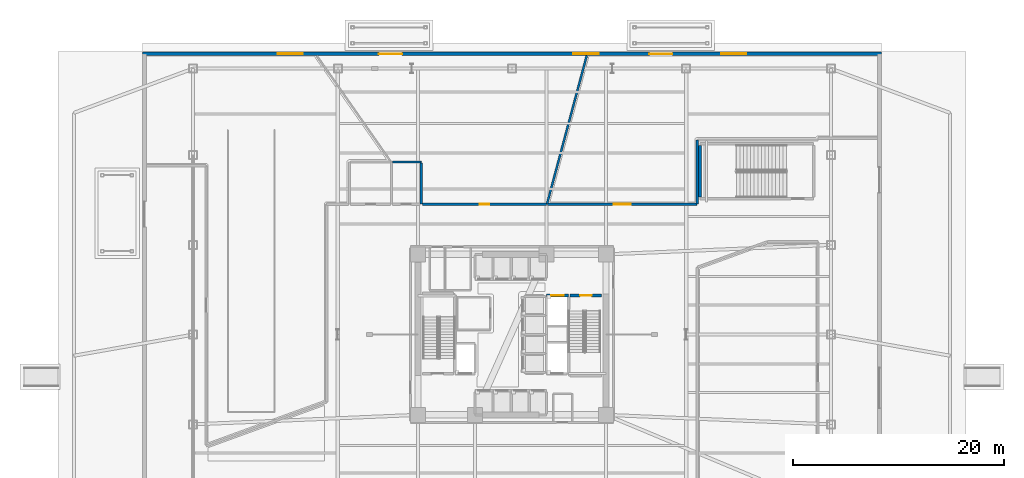
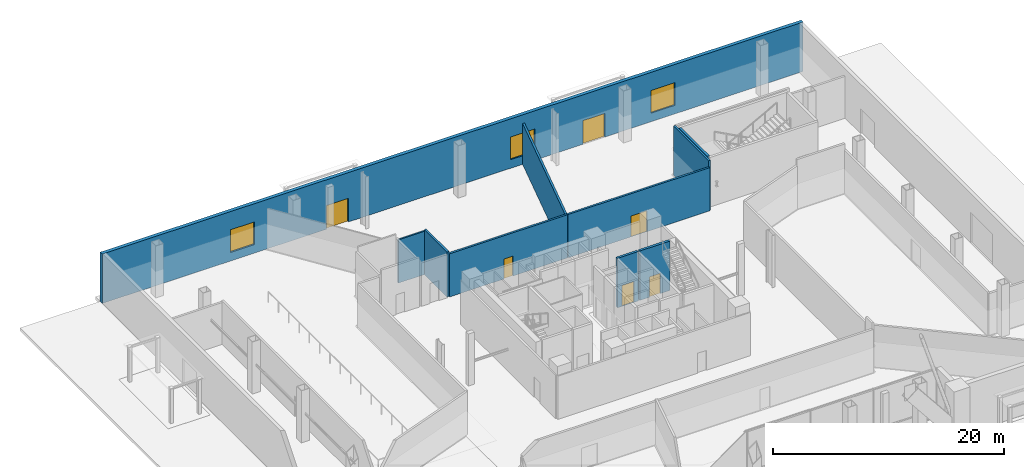
# One storey, part 17 of 27: 10 walls, 6 doors, 3 windows, 9 openings.
"""IFC4 building model written with IfcOpenShell, lengths in metres."""

import ifcopenshell
import ifcopenshell.guid

model = None  # the IFC model being written
_history = None  # IfcOwnerHistory: only IFC2X3 demands one
_inside = {}  # id of a spatial element -> (the spatial element, [elements in it])
_under = {}  # id of a project, library or spatial element -> (it, [spatial elements below it])
_declared = {}  # id of a project -> (the project, [libraries it declares])
_typed = {}  # id of a type object -> (the type object, [elements of that type])
_made_of = {}  # id of a material, layer set ... -> (it, [elements and type objects made of it])


def new_model(schema):
    """Start an empty IFC model of exactly this schema.

    Asked for "IFC4X3", IfcOpenShell would pick the latest addendum, in which some entities
    have other attributes; the version numbers below select the first issue.
    IFC2X3 requires an IfcOwnerHistory on every rooted entity: one is made here for all.
    """
    global model, _history
    if schema == "IFC4X3":
        model = ifcopenshell.file(schema_version=(4, 3, 0, 0))
    else:
        model = ifcopenshell.file(schema=schema)
    _inside.clear()
    _under.clear()
    _declared.clear()
    _typed.clear()
    _made_of.clear()
    _history = None
    if model.schema == "IFC2X3":
        org = make("IfcOrganization", Name="unknown")
        user = make(
            "IfcPersonAndOrganization",
            ThePerson=make("IfcPerson", FamilyName="unknown"),
            TheOrganization=org,
        )
        app = make(
            "IfcApplication",
            ApplicationDeveloper=org,
            Version="unknown",
            ApplicationFullName="unknown",
            ApplicationIdentifier="unknown",
        )
        _history = make(
            "IfcOwnerHistory",
            OwningUser=user,
            OwningApplication=app,
            ChangeAction="ADDED",
            CreationDate=0,
        )
    return model


def make(cls, **values):
    """One entity of the class cls with the attributes given. An attribute that is None is left unset."""
    return model.create_entity(
        cls, **{name: value for name, value in values.items() if value is not None}
    )


def rooted(cls, **values):
    """An entity with a GlobalId (a new one), such as an element, a storey or a relation."""
    return make(cls, GlobalId=ifcopenshell.guid.new(), OwnerHistory=_history, **values)


def si_unit(unit_type, name, prefix=None):
    """IfcSIUnit, for example si_unit("LENGTHUNIT", "METRE", prefix="MILLI")."""
    return make("IfcSIUnit", UnitType=unit_type, Prefix=prefix, Name=name)


def assignment(units):
    """IfcUnitAssignment: the units of a project."""
    return None if units is None else make("IfcUnitAssignment", Units=units)


def point(xyz):
    """IfcCartesianPoint."""
    return None if xyz is None else make("IfcCartesianPoint", Coordinates=xyz)


def direction(xyz):
    """IfcDirection."""
    return None if xyz is None else make("IfcDirection", DirectionRatios=xyz)


def frame(location, z_axis=None, x_axis=None):
    """IfcAxis2Placement3D, a coordinate frame: its origin and axes. An axis left out is left unset."""
    return make(
        "IfcAxis2Placement3D",
        Location=point(location),
        Axis=direction(z_axis),
        RefDirection=direction(x_axis),
    )


def frame_2d(location, x_axis=None):
    """IfcAxis2Placement2D, a coordinate frame in the plane: its origin and x axis."""
    return make(
        "IfcAxis2Placement2D", Location=point(location), RefDirection=direction(x_axis)
    )


def origin():
    """The frame at (0, 0, 0) with its axes left unset."""
    return frame((0.0, 0.0, 0.0))


def place(relative_to, where):
    """IfcLocalPlacement: puts the frame where relative to a parent placement (None: the world)."""
    return make(
        "IfcLocalPlacement", PlacementRelTo=relative_to, RelativePlacement=where
    )


def context(
    kind, dimensions, precision=None, world=None, true_north=None, identifier=None
):
    """IfcGeometricRepresentationContext, for example the 3D "Model" context."""
    return make(
        "IfcGeometricRepresentationContext",
        ContextIdentifier=identifier,
        ContextType=kind,
        CoordinateSpaceDimension=dimensions,
        Precision=precision,
        WorldCoordinateSystem=world,
        TrueNorth=true_north,
    )


def subcontext(parent, identifier, kind, view, scale=None):
    """IfcGeometricRepresentationSubContext, for example "Body" below "Model"."""
    return make(
        "IfcGeometricRepresentationSubContext",
        ContextIdentifier=identifier,
        ContextType=kind,
        ParentContext=parent,
        TargetScale=scale,
        TargetView=view,
    )


def project(units=None, contexts=None):
    """IfcProject with its units and contexts."""
    return rooted(
        "IfcProject",
        Name="project",
        RepresentationContexts=contexts,
        UnitsInContext=assignment(units),
    )


def spatial(cls, under=None, at=None, **own):
    """A site, building, storey or space (cls), placed at a placement, below another one or the project."""
    s = rooted(cls, ObjectPlacement=at, **own)
    if under is not None:
        _under.setdefault(under.id(), (under, []))[1].append(s)
    return s


def profile(cls, at=None, kind="AREA", **sizes):
    """A parametric profile (cls). Its sizes go by their IFC names, for example OverallWidth=200.0."""
    return make(cls, ProfileType=kind, Position=at, **sizes)


def rectangle(**sizes):
    """IfcRectangleProfileDef."""
    return profile("IfcRectangleProfileDef", **sizes)


def extrude(swept, where, along, depth):
    """IfcExtrudedAreaSolid: the profile swept, set in the frame where, extruded along a direction by depth."""
    return make(
        "IfcExtrudedAreaSolid",
        SweptArea=swept,
        Position=where,
        ExtrudedDirection=direction(along),
        Depth=depth,
    )


def shape(context_of_items, identifier, shape_type, items):
    """IfcShapeRepresentation: the items that make up one representation, for example the "Body"."""
    return make(
        "IfcShapeRepresentation",
        ContextOfItems=context_of_items,
        RepresentationIdentifier=identifier,
        RepresentationType=shape_type,
        Items=items,
    )


def material(Name=None, Category=None):
    """IfcMaterial."""
    return make("IfcMaterial", Name=Name, Category=Category)


def layer(
    of_material, thickness, ventilated=None, Name=None, Category=None, Priority=None
):
    """IfcMaterialLayer: one layer of a wall or slab, of a material (None: an air gap)."""
    return make(
        "IfcMaterialLayer",
        Material=of_material,
        LayerThickness=thickness,
        IsVentilated=ventilated,
        Name=Name,
        Category=Category,
        Priority=Priority,
    )


def layer_set(layers, Name=None):
    """IfcMaterialLayerSet."""
    return make("IfcMaterialLayerSet", MaterialLayers=layers, LayerSetName=Name)


def made_of(thing, what):
    """Note that an element or type object is made of a material, layer set ...; save() writes the relation."""
    if what is not None:
        _made_of.setdefault(what.id(), (what, []))[1].append(thing)
    return thing


def type_object(cls, material=None, **own):
    """A type object (cls), such as IfcWallType, which elements share."""
    return made_of(rooted(cls, **own), material)


def element(
    cls,
    number,
    at=None,
    inside=None,
    cuts=None,
    type_object=None,
    material=None,
    context=None,
    identifier="Body",
    shape_type=None,
    held_by="IfcProductDefinitionShape",
    body=None,
    shapes=None,
    **own,
):
    """One element of the class cls, such as IfcWall. Its Tag is "e" and its number.

    at: its placement. inside: the storey or other place that contains it. cuts: it is an
    opening in that element (IfcRelVoidsElement). A single representation is given by context,
    identifier, shape_type and body (its items); several are given by shapes. held_by: the class
    of the entity that holds the representations. save() writes the other relations.
    """
    e = rooted(cls, Tag="e%d" % number, ObjectPlacement=at, **own)
    if body is not None:
        shapes = [shape(context, identifier, shape_type, body)]
    if shapes is not None:
        e.Representation = make(held_by, Representations=shapes)
    if inside is not None:
        _inside.setdefault(inside.id(), (inside, []))[1].append(e)
    if cuts is not None:
        rooted(
            "IfcRelVoidsElement", RelatingBuildingElement=cuts, RelatedOpeningElement=e
        )
    if type_object is not None:
        _typed.setdefault(type_object.id(), (type_object, []))[1].append(e)
    return made_of(e, material)


def fill(opening, filler):
    """IfcRelFillsElement: the door or window that sits in an opening."""
    return rooted(
        "IfcRelFillsElement",
        RelatingOpeningElement=opening,
        RelatedBuildingElement=filler,
    )


def aggregate(whole, parts):
    """IfcRelAggregates: a whole, such as a stair, and the parts it consists of."""
    return rooted("IfcRelAggregates", RelatingObject=whole, RelatedObjects=parts)


def save(model, path):
    """Write the relations noted so far, then the file.

    IfcRelAggregates (storeys below a building ...), IfcRelContainedInSpatialStructure (elements
    in a storey), IfcRelDefinesByType, IfcRelAssociatesMaterial and IfcRelDeclares: one each for
    every whole, place, type object, material and project.
    """
    for whole, parts in _under.values():
        aggregate(whole, parts)
    for where, things in _inside.values():
        rooted(
            "IfcRelContainedInSpatialStructure",
            RelatedElements=things,
            RelatingStructure=where,
        )
    for kind, things in _typed.values():
        rooted("IfcRelDefinesByType", RelatedObjects=things, RelatingType=kind)
    for what, things in _made_of.values():
        rooted("IfcRelAssociatesMaterial", RelatedObjects=things, RelatingMaterial=what)
    for by, libraries in _declared.values():
        rooted("IfcRelDeclares", RelatingContext=by, RelatedDefinitions=libraries)
    model.write(path)


model = new_model("IFC4")

# Units and contexts
model_context = context("Model", 3, precision=1e-05, world=origin(), true_north=direction((0.0, 1.0)))
body_context = subcontext(model_context, "Body", "Model", "MODEL_VIEW")
ifc_project = project(units=[si_unit("LENGTHUNIT", "METRE"), si_unit("AREAUNIT", "SQUARE_METRE"), si_unit("VOLUMEUNIT", "CUBIC_METRE"), si_unit("PLANEANGLEUNIT", "RADIAN"), si_unit("MASSUNIT", "GRAM", prefix="KILO")], contexts=[model_context])

# Site, building, storey
site_placement = place(None, origin())
site = spatial("IfcSite", under=ifc_project, at=site_placement, CompositionType="ELEMENT")
building_placement = place(site_placement, origin())
building = spatial("IfcBuilding", under=site, at=building_placement, Name="Tharavind Bronze Gate", CompositionType="ELEMENT")
storey_placement = place(building_placement, origin())
storey = spatial("IfcBuildingStorey", under=building, at=storey_placement, Name="L00", CompositionType="ELEMENT", Elevation=0.0)

# Wall, openings, doors, windows
ifc_material_1 = material(Name="Concrete C40/50", Category="concrete")
ifc_layer_1 = layer(ifc_material_1, 0.35009765625)
ifc_layer_set_1 = layer_set([ifc_layer_1], Name="Concrete C40/50")
wall_type_1 = type_object("IfcWallType", Name="EXTERIOR SPANDREL WALL 350", PredefinedType="STANDARD", material=ifc_layer_set_1)
wall_1_placement = place(storey_placement, frame((35.0, 26.60009765625, 0.0), z_axis=(0.0, 0.0, 1.0), x_axis=(-1.0, 0.0, 0.0)))
wall_1 = element("IfcWall", 1, at=wall_1_placement, inside=storey, type_object=wall_type_1, Name="L00 podium north facade wall", PredefinedType="STANDARD", context=body_context, shape_type="SweptSolid", body=[
    extrude(rectangle(XDim=70.0, YDim=0.35009765625, at=frame_2d((35.0, 0.0))), origin(), (0.0, 0.0, 1.0), 5.219970703125),
])
opening_1_placement = place(wall_1_placement, frame((19.800048828125, 0.0, 0.0)))
opening_1 = element("IfcOpeningElement", 2, at=opening_1_placement, cuts=wall_1, Name="Opening ED02", PredefinedType="OPENING", context=body_context, shape_type="SweptSolid", body=[
    extrude(rectangle(XDim=2.199951171875, YDim=2.5, at=frame_2d((1.10009765625, 1.25))), frame((0.0, 0.185048828125, 0.0), z_axis=(0.0, -1.0, 0.0), x_axis=(1.0, 0.0, 0.0)), (0.0, 0.0, 1.0), 0.37009765625),
])
opening_2_placement = place(wall_1_placement, frame((45.39990234375, 0.0, 0.0)))
opening_2 = element("IfcOpeningElement", 3, at=opening_2_placement, cuts=wall_1, Name="Opening ED02", PredefinedType="OPENING", context=body_context, shape_type="SweptSolid", body=[
    extrude(rectangle(XDim=2.199951171875, YDim=2.5, at=frame_2d((1.10009765625, 1.25))), frame((0.0, 0.185048828125, 0.0), z_axis=(0.0, -1.0, 0.0), x_axis=(1.0, 0.0, 0.0)), (0.0, 0.0, 1.0), 0.37009765625),
])
opening_3_placement = place(wall_1_placement, frame((12.800048828125, 0.0, 0.89990234375)))
opening_3 = element("IfcOpeningElement", 4, at=opening_3_placement, cuts=wall_1, Name="Opening W03", PredefinedType="OPENING", context=body_context, shape_type="SweptSolid", body=[
    extrude(rectangle(XDim=2.39990234375, YDim=2.39990234375, at=frame_2d((1.199951171875, 1.199951171875))), frame((0.0, 0.185048828125, 0.0), z_axis=(0.0, -1.0, 0.0), x_axis=(1.0, 0.0, 0.0)), (0.0, 0.0, 1.0), 0.37009765625),
])
opening_4_placement = place(wall_1_placement, frame((26.800048828125, 0.0, 0.89990234375)))
opening_4 = element("IfcOpeningElement", 5, at=opening_4_placement, cuts=wall_1, Name="Opening W03", PredefinedType="OPENING", context=body_context, shape_type="SweptSolid", body=[
    extrude(rectangle(XDim=2.39990234375, YDim=2.39990234375, at=frame_2d((1.199951171875, 1.199951171875))), frame((0.0, 0.185048828125, 0.0), z_axis=(0.0, -1.0, 0.0), x_axis=(1.0, 0.0, 0.0)), (0.0, 0.0, 1.0), 0.37009765625),
])
opening_5_placement = place(wall_1_placement, frame((54.800048828125, 0.0, 0.89990234375)))
opening_5 = element("IfcOpeningElement", 6, at=opening_5_placement, cuts=wall_1, Name="Opening W03", PredefinedType="OPENING", context=body_context, shape_type="SweptSolid", body=[
    extrude(rectangle(XDim=2.39990234375, YDim=2.39990234375, at=frame_2d((1.199951171875, 1.199951171875))), frame((0.0, 0.185048828125, 0.0), z_axis=(0.0, -1.0, 0.0), x_axis=(1.0, 0.0, 0.0)), (0.0, 0.0, 1.0), 0.37009765625),
])
ifc_material_2 = material(Name="Bronze Aluminium & Toughened Glass", Category="aluminium")
door_type_1 = type_object("IfcDoorType", Name="BRONZE REVOLVING PORTAL DOOR 2200X2500", OperationType="REVOLVING", PredefinedType="DOOR", material=ifc_material_2)
door_1_placement = place(opening_1_placement, frame((2.199951171875, 0.0, 0.0), z_axis=(0.0, 0.0, 1.0), x_axis=(-1.0, 0.0, 0.0)))
door_1 = element("IfcDoor", 7, at=door_1_placement, inside=storey, type_object=door_type_1, Name="North concourse entrance door east", OperationType="REVOLVING", OverallHeight=2.5, OverallWidth=2.199951171875, PredefinedType="DOOR", context=body_context, shape_type="SweptSolid", body=[
    extrude(rectangle(XDim=2.199951171875, YDim=2.5, at=frame_2d((1.10009765625, 1.25))), frame((0.0, 0.02490234375, 0.0), z_axis=(0.0, -1.0, 0.0), x_axis=(1.0, 0.0, 0.0)), (0.0, 0.0, 1.0), 0.050048828125),
])
fill(opening_1, door_1)
door_2_placement = place(opening_2_placement, frame((2.199951171875, 0.0, 0.0), z_axis=(0.0, 0.0, 1.0), x_axis=(-1.0, 0.0, 0.0)))
door_2 = element("IfcDoor", 8, at=door_2_placement, inside=storey, type_object=door_type_1, Name="North concourse entrance door west", OperationType="REVOLVING", OverallHeight=2.5, OverallWidth=2.199951171875, PredefinedType="DOOR", context=body_context, shape_type="SweptSolid", body=[
    extrude(rectangle(XDim=2.199951171875, YDim=2.5, at=frame_2d((1.10009765625, 1.25))), frame((0.0, 0.02490234375, 0.0), z_axis=(0.0, -1.0, 0.0), x_axis=(1.0, 0.0, 0.0)), (0.0, 0.0, 1.0), 0.050048828125),
])
fill(opening_2, door_2)
ifc_material_3 = material(Name="Bronze Aluminium & Low-E Glass", Category="aluminium")
window_type = type_object("IfcWindowType", Name="PODIUM RIBBON BRONZE WINDOW 2400X2400", PartitioningType="TRIPLE_PANEL_VERTICAL", PredefinedType="WINDOW", material=ifc_material_3)
window_1_placement = place(opening_3_placement, origin())
window_1 = element("IfcWindow", 9, at=window_1_placement, inside=storey, type_object=window_type, Name="L00 exterior window WL-L00-NO-01", OverallHeight=2.39990234375, OverallWidth=2.39990234375, PartitioningType="SINGLE_PANEL", PredefinedType="WINDOW", context=body_context, shape_type="SweptSolid", body=[
    extrude(rectangle(XDim=2.39990234375, YDim=2.39990234375, at=frame_2d((1.199951171875, 1.199951171875))), frame((0.0, 0.030029296875, 0.0), z_axis=(0.0, -1.0, 0.0), x_axis=(1.0, 0.0, 0.0)), (0.0, 0.0, 1.0), 0.06005859375),
])
fill(opening_3, window_1)
window_2_placement = place(opening_4_placement, origin())
window_2 = element("IfcWindow", 10, at=window_2_placement, inside=storey, type_object=window_type, Name="L00 exterior window WL-L00-NO-02", OverallHeight=2.39990234375, OverallWidth=2.39990234375, PartitioningType="SINGLE_PANEL", PredefinedType="WINDOW", context=body_context, shape_type="SweptSolid", body=[
    extrude(rectangle(XDim=2.39990234375, YDim=2.39990234375, at=frame_2d((1.199951171875, 1.199951171875))), frame((0.0, 0.030029296875, 0.0), z_axis=(0.0, -1.0, 0.0), x_axis=(1.0, 0.0, 0.0)), (0.0, 0.0, 1.0), 0.06005859375),
])
fill(opening_4, window_2)
window_3_placement = place(opening_5_placement, origin())
window_3 = element("IfcWindow", 11, at=window_3_placement, inside=storey, type_object=window_type, Name="L00 exterior window WL-L00-NO-04", OverallHeight=2.39990234375, OverallWidth=2.39990234375, PartitioningType="SINGLE_PANEL", PredefinedType="WINDOW", context=body_context, shape_type="SweptSolid", body=[
    extrude(rectangle(XDim=2.39990234375, YDim=2.39990234375, at=frame_2d((1.199951171875, 1.199951171875))), frame((0.0, 0.030029296875, 0.0), z_axis=(0.0, -1.0, 0.0), x_axis=(1.0, 0.0, 0.0)), (0.0, 0.0, 1.0), 0.06005859375),
])
fill(opening_5, window_3)

# Walls
ifc_material_4 = material(Name="Aerated Concrete Block", Category="concrete")
ifc_layer_2 = layer(ifc_material_4, 0.199951171875)
ifc_layer_set_2 = layer_set([ifc_layer_2], Name="Aerated Concrete Block")
wall_type_2 = type_object("IfcWallType", Name="FIRE RATED PARTITION 200", PredefinedType="PARTITIONING", material=ifc_layer_set_2)
wall_2_placement = place(storey_placement, frame((-8.60009765625, 16.27001953125, 0.0), z_axis=(0.0, 0.0, 1.0), x_axis=(0.0, -1.0, 0.0)))
element("IfcWall", 12, at=wall_2_placement, inside=storey, type_object=wall_type_2, Name="L00 Accessible Toilet partition", PredefinedType="PARTITIONING", context=body_context, shape_type="SweptSolid", body=[
    extrude(rectangle(XDim=3.919921875, YDim=0.199951171875, at=frame_2d((1.9599609375, 0.0))), origin(), (0.0, 0.0, 1.0), 4.764892578125),
])
wall_3_placement = place(storey_placement, frame((17.550048828125, 18.449462890625, 0.0), z_axis=(0.0, 0.0, 1.0), x_axis=(0.0, -1.0, 0.0)))
element("IfcWall", 13, at=wall_3_placement, inside=storey, type_object=wall_type_2, Name="L00 East Colonnade Retail Shop partition", PredefinedType="PARTITIONING", context=body_context, shape_type="SweptSolid", body=[
    extrude(rectangle(XDim=6.074462890625, YDim=0.199951171875, at=frame_2d((3.037109375, 0.0))), origin(), (0.0, 0.0, 1.0), 5.219970703125),
])

# Wall, opening, door
wall_4_placement = place(storey_placement, frame((17.52490234375, 12.35009765625, 0.0), z_axis=(0.0, 0.0, 1.0), x_axis=(-1.0, 0.0, 0.0)))
wall_4 = element("IfcWall", 14, at=wall_4_placement, inside=storey, type_object=wall_type_2, Name="L00 East Colonnade Retail Shop partition", PredefinedType="PARTITIONING", context=body_context, shape_type="SweptSolid", body=[
    extrude(rectangle(XDim=14.18310546875, YDim=0.199951171875, at=frame_2d((7.091552734375, 0.0))), origin(), (0.0, 0.0, 1.0), 4.56494140625),
])
opening_6_placement = place(wall_4_placement, frame((6.2919921875, 0.0, 0.0)))
opening_6 = element("IfcOpeningElement", 15, at=opening_6_placement, cuts=wall_4, Name="Opening ID02", PredefinedType="OPENING", context=body_context, shape_type="SweptSolid", body=[
    extrude(rectangle(XDim=1.60009765625, YDim=2.199951171875, at=frame_2d((0.800048828125, 1.10009765625))), frame((0.0, 0.11009765625, 0.0), z_axis=(0.0, -1.0, 0.0), x_axis=(1.0, 0.0, 0.0)), (0.0, 0.0, 1.0), 0.219951171875),
])
ifc_material_5 = material(Name="Fire-Rated Bronze Steel", Category="steel")
door_type_2 = type_object("IfcDoorType", Name="LOBBY DOUBLE FIRE DOOR 1600X2200", OperationType="DOUBLE_DOOR_SINGLE_SWING", PredefinedType="DOOR", material=ifc_material_5)
door_3_placement = place(opening_6_placement, frame((1.60009765625, 0.0, 0.0), z_axis=(0.0, 0.0, 1.0), x_axis=(-1.0, 0.0, 0.0)))
door_3 = element("IfcDoor", 16, at=door_3_placement, inside=storey, type_object=door_type_2, Name="L00 East Colonnade Retail Shop door", OperationType="DOUBLE_DOOR_SINGLE_SWING", OverallHeight=2.199951171875, OverallWidth=1.60009765625, PredefinedType="DOOR", context=body_context, shape_type="SweptSolid", body=[
    extrude(rectangle(XDim=1.60009765625, YDim=2.199951171875, at=frame_2d((0.800048828125, 1.10009765625))), frame((0.0, 0.02490234375, 0.0), z_axis=(0.0, -1.0, 0.0), x_axis=(1.0, 0.0, 0.0)), (0.0, 0.0, 1.0), 0.050048828125),
])
fill(opening_6, door_3)

# Wall
wall_5_placement = place(storey_placement, frame((3.317626953125, 12.381591796875, 0.0), z_axis=(0.0, 0.0, 1.0), x_axis=(0.258813614129, 0.965927281498, 0.0)))
element("IfcWall", 17, at=wall_5_placement, inside=storey, type_object=wall_type_2, Name="L00 East Colonnade Retail Shop partition", PredefinedType="PARTITIONING", context=body_context, shape_type="SweptSolid", body=[
    extrude(rectangle(XDim=14.533447265625, YDim=0.199951171875, at=frame_2d((7.2666015625, 0.0))), origin(), (0.0, 0.0, 1.0), 4.31494140625),
])

# Wall, opening, door
wall_6_placement = place(storey_placement, frame((3.2900390625, 12.35009765625, 0.0), z_axis=(0.0, 0.0, 1.0), x_axis=(-1.0, 0.0, 0.0)))
wall_6 = element("IfcWall", 18, at=wall_6_placement, inside=storey, type_object=wall_type_2, Name="L00 Fire Command Centre partition", PredefinedType="PARTITIONING", context=body_context, shape_type="SweptSolid", body=[
    extrude(rectangle(XDim=11.78515625, YDim=0.199951171875, at=frame_2d((5.892578125, 0.0))), origin(), (0.0, 0.0, 1.0), 4.56494140625),
])
opening_7_placement = place(wall_6_placement, frame((5.44189453125, 0.0, 0.0)))
opening_7 = element("IfcOpeningElement", 19, at=opening_7_placement, cuts=wall_6, Name="Opening ID07", PredefinedType="OPENING", context=body_context, shape_type="SweptSolid", body=[
    extrude(rectangle(XDim=0.89990234375, YDim=2.10009765625, at=frame_2d((0.449951171875, 1.050048828125))), frame((0.0, 0.11009765625, 0.0), z_axis=(0.0, -1.0, 0.0), x_axis=(1.0, 0.0, 0.0)), (0.0, 0.0, 1.0), 0.219951171875),
])
ifc_material_6 = material(Name="Galvanised Fire Steel", Category="steel")
door_type_3 = type_object("IfcDoorType", Name="PLANT AND RISER FIRE DOOR 900X2100", OperationType="SINGLE_SWING_LEFT", PredefinedType="DOOR", material=ifc_material_6)
door_4_placement = place(opening_7_placement, frame((0.89990234375, 0.0, 0.0), z_axis=(0.0, 0.0, 1.0), x_axis=(-1.0, 0.0, 0.0)))
door_4 = element("IfcDoor", 20, at=door_4_placement, inside=storey, type_object=door_type_3, Name="L00 Fire Command Centre door", OperationType="SINGLE_SWING_LEFT", OverallHeight=2.10009765625, OverallWidth=0.89990234375, PredefinedType="DOOR", context=body_context, shape_type="SweptSolid", body=[
    extrude(rectangle(XDim=0.89990234375, YDim=2.10009765625, at=frame_2d((0.449951171875, 1.050048828125))), frame((0.0, 0.02490234375, 0.0), z_axis=(0.0, -1.0, 0.0), x_axis=(1.0, 0.0, 0.0)), (0.0, 0.0, 1.0), 0.050048828125),
])
fill(opening_7, door_4)

# Wall
ifc_material_7 = material(Name="Twin Stud Acoustic Gypsum", Category="gypsum")
ifc_layer_3 = layer(ifc_material_7, 0.14990234375)
ifc_layer_set_3 = layer_set([ifc_layer_3], Name="Twin Stud Acoustic Gypsum")
wall_type_3 = type_object("IfcWallType", Name="INTERIOR PARTITION WALL 150", PredefinedType="PARTITIONING", material=ifc_layer_set_3)
wall_7_placement = place(storey_placement, frame((-11.294921875, 16.35009765625, 0.0), z_axis=(0.0, 0.0, 1.0), x_axis=(1.0, 0.0, 0.0)))
element("IfcWall", 21, at=wall_7_placement, inside=storey, type_object=wall_type_3, Name="L00 Accessible Toilet partition", PredefinedType="PARTITIONING", context=body_context, shape_type="SweptSolid", body=[
    extrude(rectangle(XDim=2.69482421875, YDim=0.14990234375, at=frame_2d((1.347412109375, 0.0))), origin(), (0.0, 0.0, 1.0), 4.56494140625),
])

# Wall, opening, door
ifc_material_8 = material(Name="Concrete C50/60", Category="concrete")
ifc_layer_4 = layer(ifc_material_8, 0.25)
ifc_layer_set_4 = layer_set([ifc_layer_4], Name="Concrete C50/60")
wall_type_4 = type_object("IfcWallType", Name="RC CORE SHEAR WALL 250", PredefinedType="SHEAR", material=ifc_layer_set_4)
wall_8_placement = place(storey_placement, frame((5.5, 3.699951171875, 0.0), z_axis=(0.0, 0.0, 1.0), x_axis=(1.0, 0.0, 0.0)))
wall_8 = element("IfcWall", 22, at=wall_8_placement, inside=storey, type_object=wall_type_4, Name="L00 ST2 shaft north wall", PredefinedType="SHEAR", context=body_context, shape_type="SweptSolid", body=[
    extrude(rectangle(XDim=3.0, YDim=0.25, at=frame_2d((1.5, 0.0))), origin(), (0.0, 0.0, 1.0), 5.219970703125),
])
opening_8_placement = place(wall_8_placement, frame((0.949951171875, 0.0, 0.0)))
opening_8 = element("IfcOpeningElement", 23, at=opening_8_placement, cuts=wall_8, Name="Opening ID01", PredefinedType="OPENING", context=body_context, shape_type="SweptSolid", body=[
    extrude(rectangle(XDim=1.10009765625, YDim=2.14990234375, at=frame_2d((0.550048828125, 1.074951171875))), frame((0.0, 0.135, 0.0), z_axis=(0.0, -1.0, 0.0), x_axis=(1.0, 0.0, 0.0)), (0.0, 0.0, 1.0), 0.27),
])
ifc_material_9 = material(Name="Fire-Rated Steel", Category="steel")
door_type_4 = type_object("IfcDoorType", Name="STAIR CORE FIRE DOOR 1100X2150", OperationType="SINGLE_SWING_LEFT", PredefinedType="DOOR", material=ifc_material_9)
door_5_placement = place(opening_8_placement, frame((1.10009765625, 0.0, 0.0), z_axis=(0.0, 0.0, 1.0), x_axis=(-1.0, 0.0, 0.0)))
door_5 = element("IfcDoor", 24, at=door_5_placement, inside=storey, type_object=door_type_4, Name="L00 exit stair ST2 fire door", OperationType="SINGLE_SWING_LEFT", OverallHeight=2.14990234375, OverallWidth=1.10009765625, PredefinedType="DOOR", context=body_context, shape_type="SweptSolid", body=[
    extrude(rectangle(XDim=1.10009765625, YDim=2.14990234375, at=frame_2d((0.550048828125, 1.074951171875))), frame((0.0, 0.02490234375, 0.0), z_axis=(0.0, -1.0, 0.0), x_axis=(1.0, 0.0, 0.0)), (0.0, 0.0, 1.0), 0.050048828125),
])
fill(opening_8, door_5)

# Wall
wall_9_placement = place(storey_placement, frame((17.800048828125, 13.02001953125, 0.0), z_axis=(0.0, 0.0, 1.0), x_axis=(0.0, 1.0, 0.0)))
element("IfcWall", 25, at=wall_9_placement, inside=storey, type_object=wall_type_4, Name="L00 ST4 west wall", PredefinedType="SHEAR", context=body_context, shape_type="SweptSolid", body=[
    extrude(rectangle(XDim=4.909912109375, YDim=0.25, at=frame_2d((2.455078125, 0.0))), origin(), (0.0, 0.0, 1.0), 5.219970703125),
])

# Wall, opening, door
wall_10_placement = place(storey_placement, frame((3.280029296875, 3.699951171875, 0.0), z_axis=(0.0, 0.0, 1.0), x_axis=(1.0, 0.0, 0.0)))
wall_10 = element("IfcWall", 26, at=wall_10_placement, inside=storey, type_object=wall_type_4, Name="L00 lift FFL2 shaft front wall", PredefinedType="SHEAR", context=body_context, shape_type="SweptSolid", body=[
    extrude(rectangle(XDim=2.070068359375, YDim=0.25, at=frame_2d((1.03515625, 0.0))), origin(), (0.0, 0.0, 1.0), 5.219970703125),
])
opening_9_placement = place(wall_10_placement, frame((0.43505859375, 0.0, 0.0)))
opening_9 = element("IfcOpeningElement", 27, at=opening_9_placement, cuts=wall_10, Name="Opening LD02", PredefinedType="OPENING", context=body_context, shape_type="SweptSolid", body=[
    extrude(rectangle(XDim=1.199951171875, YDim=2.199951171875, at=frame_2d((0.60009765625, 1.10009765625))), frame((0.0, 0.135, 0.0), z_axis=(0.0, -1.0, 0.0), x_axis=(1.0, 0.0, 0.0)), (0.0, 0.0, 1.0), 0.27),
])
ifc_material_10 = material(Name="Brushed Stainless Steel", Category="steel")
door_type_5 = type_object("IfcDoorType", Name="FIREFIGHTING LIFT LANDING DOOR 1200X2200", OperationType="SLIDING_TO_RIGHT", PredefinedType="DOOR", material=ifc_material_10)
door_6_placement = place(opening_9_placement, origin())
door_6 = element("IfcDoor", 28, at=door_6_placement, inside=storey, type_object=door_type_5, Name="L00 lift FFL2 sliding landing door", OperationType="SLIDING_TO_RIGHT", OverallHeight=2.199951171875, OverallWidth=1.199951171875, PredefinedType="DOOR", context=body_context, shape_type="SweptSolid", body=[
    extrude(rectangle(XDim=1.199951171875, YDim=2.199951171875, at=frame_2d((0.60009765625, 1.10009765625))), frame((0.0, 0.02490234375, 0.0), z_axis=(0.0, -1.0, 0.0), x_axis=(1.0, 0.0, 0.0)), (0.0, 0.0, 1.0), 0.050048828125),
])
fill(opening_9, door_6)

save(model, "model.ifc")
